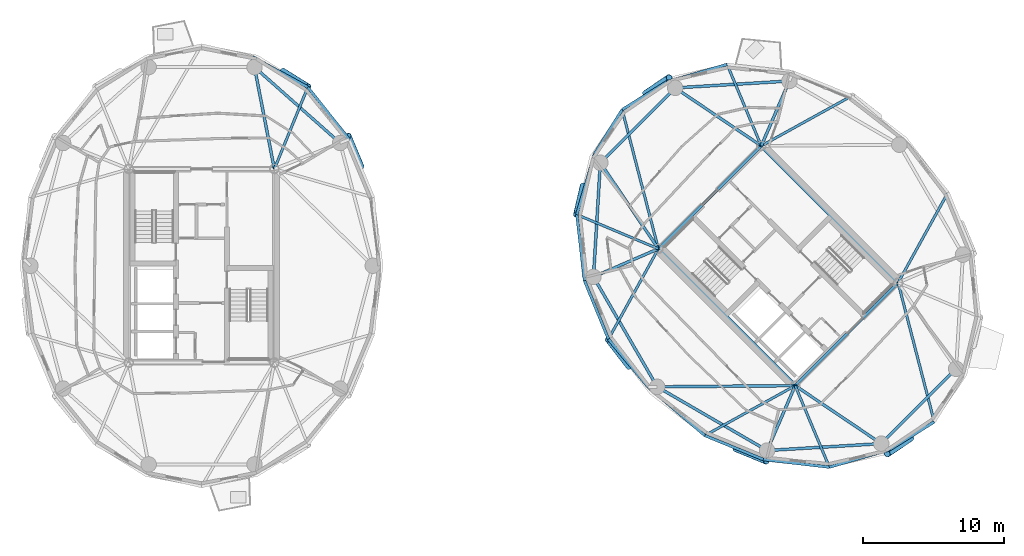
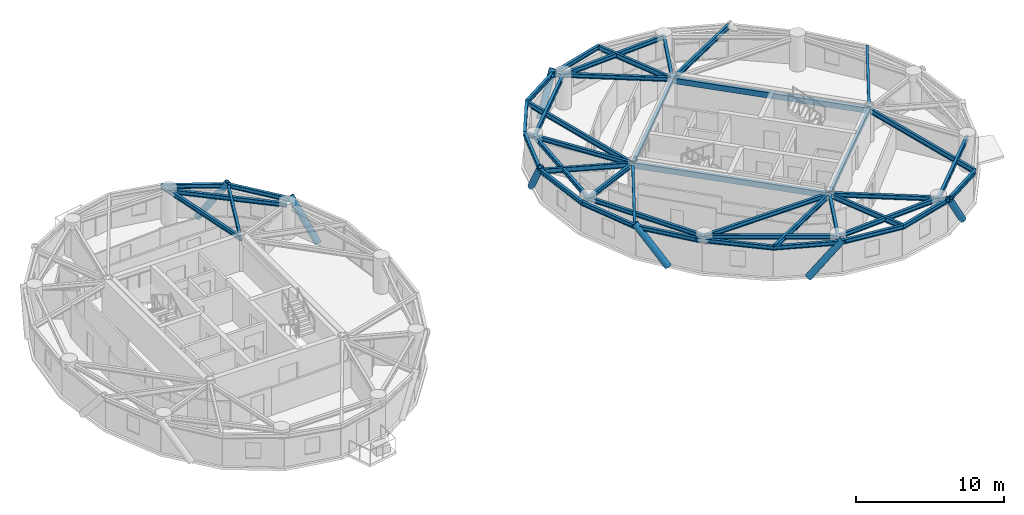
# One storey, part 4 of 16: 44 beams, 7 members.
"""IFC4 building model written with IfcOpenShell, lengths in metres."""

from ifc_helpers import new_model, si_unit, direction, frame, origin, origin_2d, place, context, subcontext, project, spatial, hollow_rectangle, hollow_circle, i_section, extrude, material, material_profile, profile_set, type_object, element, save


model = new_model("IFC4")

# Units and contexts
model_context = context("Model", 3, precision=1e-05, world=origin(), true_north=direction((0.0, 1.0)))
body_context = subcontext(model_context, "Body", "Model", "MODEL_VIEW")
ifc_project = project(units=[si_unit("LENGTHUNIT", "METRE"), si_unit("AREAUNIT", "SQUARE_METRE"), si_unit("VOLUMEUNIT", "CUBIC_METRE"), si_unit("PLANEANGLEUNIT", "RADIAN"), si_unit("MASSUNIT", "GRAM", prefix="KILO")], contexts=[model_context])

# Site, building, storey
site_placement = place(None, origin())
site = spatial("IfcSite", under=ifc_project, at=site_placement, CompositionType="ELEMENT")
building_placement = place(site_placement, origin())
building = spatial("IfcBuilding", under=site, at=building_placement, Name="Cununo Teusaquillo Station Towers", CompositionType="ELEMENT")
storey_placement = place(building_placement, frame((0.0, 0.0, 217.030029296875)))
storey = spatial("IfcBuildingStorey", under=building, at=storey_placement, Name="L69", CompositionType="ELEMENT", Elevation=217.030029296875)

# Beams
ifc_material_1 = material(Name="Steel EN 10025-2 S355J2", Category="steel")
ifc_material_profile_1 = material_profile(ifc_material_1, hollow_rectangle(XDim=0.25, YDim=0.449951171875, WallThickness=0.01611328125, at=origin_2d()), Name="RHS 450x250x16")
ifc_profile_set_1 = profile_set([ifc_material_profile_1], Name="Steel EN 10025-2 S355J2")
beam_type_1 = type_object("IfcBeamType", Name="BM-COUP-1", PredefinedType="USERDEFINED", material=ifc_profile_set_1)
for number, where, z_axis, x_axis, name in (
    (1, (58.70556640625, 15.975830078125, 2.474853515625), (-0.707106781187, 0.707106781187, 0.0), (-0.707106781187, -0.707106781187, 0.0), "L69 Tower B Core Beam 1"),
    (2, (66.024169921875, 23.29443359375, 2.474853515625), (-0.707106781187, 0.707106781187, 0.0), (-0.707106781187, -0.707106781187, 0.0), "L69 Tower B Core Beam 2"),
):
    element("IfcBeam", number, at=place(storey_placement, frame(where, z_axis=z_axis, x_axis=x_axis)), inside=storey, type_object=beam_type_1, Name=name, ObjectType="COUPLING BEAM", PredefinedType="USERDEFINED", context=body_context, shape_type="SweptSolid", body=[
        extrude(hollow_rectangle(XDim=0.25, YDim=0.449951171875, WallThickness=0.01611328125, at=origin_2d()), origin(), (0.0, 0.0, 1.0), 13.760009765625),
    ])
ifc_material_2 = material(Name="Steel ASTM A572 Grade 50", Category="steel")
ifc_material_profile_2 = material_profile(ifc_material_2, i_section(OverallWidth=0.180908203125, OverallDepth=0.4169921875, WebThickness=0.010986328125, FlangeThickness=0.018310546875, FilletRadius=0.012939453125, at=origin_2d()), Name="W16X57")
ifc_profile_set_2 = profile_set([ifc_material_profile_2], Name="Steel ASTM A572 Grade 50")
beam_type_2 = type_object("IfcBeamType", Name="BM-JOIST-1", PredefinedType="JOIST", material=ifc_profile_set_2)
beam_1_placement = place(storey_placement, frame((21.675048828125, 31.3798828125, 2.491455078125), z_axis=(0.378576847217, 0.925569862707, 0.0), x_axis=(-0.925569862707, 0.378576847217, 0.0)))
element("IfcBeam", 3, at=beam_1_placement, inside=storey, type_object=beam_type_2, Name="L69 Tower A Radial Spandrel Joist V03", PredefinedType="JOIST", context=body_context, shape_type="SweptSolid", body=[
    extrude(i_section(OverallWidth=0.180908203125, OverallDepth=0.4169921875, WebThickness=0.010986328125, FlangeThickness=0.018310546875, FilletRadius=0.012939453125, at=origin_2d()), origin(), (0.0, 0.0, 1.0), 6.28125),
])
beam_2_placement = place(storey_placement, frame((56.29443359375, 33.024169921875, 2.491455078125), z_axis=(0.8753153358, 0.483552544108, 0.0), x_axis=(-0.483552544108, 0.8753153358, 0.0)))
element("IfcBeam", 4, at=beam_2_placement, inside=storey, type_object=beam_type_2, Name="L69 Tower B Radial Spandrel Joist V01", PredefinedType="JOIST", context=body_context, shape_type="SweptSolid", body=[
    extrude(i_section(OverallWidth=0.180908203125, OverallDepth=0.4169921875, WebThickness=0.010986328125, FlangeThickness=0.018310546875, FilletRadius=0.012939453125, at=origin_2d()), origin(), (0.0, 0.0, 1.0), 7.3330078125),
])
beam_3_placement = place(storey_placement, frame((56.29443359375, 33.024169921875, 2.491455078125), z_axis=(-0.386786389381, 0.922169338565, 0.0), x_axis=(-0.922169338565, -0.386786389381, 0.0)))
element("IfcBeam", 5, at=beam_3_placement, inside=storey, type_object=beam_type_2, Name="L69 Tower B Radial Spandrel Joist V03", PredefinedType="JOIST", context=body_context, shape_type="SweptSolid", body=[
    extrude(i_section(OverallWidth=0.180908203125, OverallDepth=0.4169921875, WebThickness=0.010986328125, FlangeThickness=0.018310546875, FilletRadius=0.012939453125, at=origin_2d()), origin(), (0.0, 0.0, 1.0), 6.281005859375),
])
beam_4_placement = place(storey_placement, frame((48.975830078125, 25.70556640625, 2.491455078125), z_axis=(-0.251559992432, 0.967841707206, 0.0), x_axis=(-0.967841707206, -0.251559992432, 0.0)))
element("IfcBeam", 6, at=beam_4_placement, inside=storey, type_object=beam_type_2, Name="L69 Tower B Radial Spandrel Joist V05", PredefinedType="JOIST", context=body_context, shape_type="SweptSolid", body=[
    extrude(i_section(OverallWidth=0.180908203125, OverallDepth=0.4169921875, WebThickness=0.010986328125, FlangeThickness=0.018310546875, FilletRadius=0.012939453125, at=origin_2d()), origin(), (0.0, 0.0, 1.0), 10.217529296875),
])
beam_5_placement = place(storey_placement, frame((48.975830078125, 25.70556640625, 2.491455078125), z_axis=(-0.922169338565, 0.386786389381, 0.0), x_axis=(-0.386786389381, -0.922169338565, 0.0)))
element("IfcBeam", 7, at=beam_5_placement, inside=storey, type_object=beam_type_2, Name="L69 Tower B Radial Spandrel Joist V07", PredefinedType="JOIST", context=body_context, shape_type="SweptSolid", body=[
    extrude(i_section(OverallWidth=0.180908203125, OverallDepth=0.4169921875, WebThickness=0.010986328125, FlangeThickness=0.018310546875, FilletRadius=0.012939453125, at=origin_2d()), origin(), (0.0, 0.0, 1.0), 6.281005859375),
])
for number, where, z_axis, x_axis, name in (
    (8, (48.975830078125, 25.70556640625, 2.491455078125), (-0.483552544108, -0.8753153358, 0.0), (0.8753153358, -0.483552544108, 0.0), "L69 Tower B Radial Spandrel Joist V09"),
    (9, (58.70556640625, 15.975830078125, 2.491455078125), (-0.8753153358, -0.483552544108, 0.0), (0.483552544108, -0.8753153358, 0.0), "L69 Tower B Radial Spandrel Joist V11"),
):
    element("IfcBeam", number, at=place(storey_placement, frame(where, z_axis=z_axis, x_axis=x_axis)), inside=storey, type_object=beam_type_2, Name=name, PredefinedType="JOIST", context=body_context, shape_type="SweptSolid", body=[
        extrude(i_section(OverallWidth=0.180908203125, OverallDepth=0.4169921875, WebThickness=0.010986328125, FlangeThickness=0.018310546875, FilletRadius=0.012939453125, at=origin_2d()), origin(), (0.0, 0.0, 1.0), 7.3330078125),
    ])
beam_6_placement = place(storey_placement, frame((58.70556640625, 15.975830078125, 2.491455078125), z_axis=(0.386786389381, -0.922169338565, 0.0), x_axis=(0.922169338565, 0.386786389381, 0.0)))
element("IfcBeam", 10, at=beam_6_placement, inside=storey, type_object=beam_type_2, Name="L69 Tower B Radial Spandrel Joist V13", PredefinedType="JOIST", context=body_context, shape_type="SweptSolid", body=[
    extrude(i_section(OverallWidth=0.180908203125, OverallDepth=0.4169921875, WebThickness=0.010986328125, FlangeThickness=0.018310546875, FilletRadius=0.012939453125, at=origin_2d()), origin(), (0.0, 0.0, 1.0), 6.281005859375),
])
beam_7_placement = place(storey_placement, frame((66.024169921875, 23.29443359375, 2.491455078125), z_axis=(0.251559992432, -0.967841707206, 0.0), x_axis=(0.967841707206, 0.251559992432, 0.0)))
element("IfcBeam", 11, at=beam_7_placement, inside=storey, type_object=beam_type_2, Name="L69 Tower B Radial Spandrel Joist V15", PredefinedType="JOIST", context=body_context, shape_type="SweptSolid", body=[
    extrude(i_section(OverallWidth=0.180908203125, OverallDepth=0.4169921875, WebThickness=0.010986328125, FlangeThickness=0.018310546875, FilletRadius=0.012939453125, at=origin_2d()), origin(), (0.0, 0.0, 1.0), 10.217529296875),
])
beam_8_placement = place(storey_placement, frame((66.024169921875, 23.29443359375, 2.491455078125), z_axis=(0.483552544108, 0.8753153358, 0.0), x_axis=(-0.8753153358, 0.483552544108, 0.0)))
element("IfcBeam", 12, at=beam_8_placement, inside=storey, type_object=beam_type_2, Name="L69 Tower B Radial Spandrel Joist V19", PredefinedType="JOIST", context=body_context, shape_type="SweptSolid", body=[
    extrude(i_section(OverallWidth=0.180908203125, OverallDepth=0.4169921875, WebThickness=0.010986328125, FlangeThickness=0.018310546875, FilletRadius=0.012939453125, at=origin_2d()), origin(), (0.0, 0.0, 1.0), 7.3330078125),
])
ifc_material_3 = material(Name="Steel ASTM A572 Grade 50", Category="steel")
ifc_material_profile_3 = material_profile(ifc_material_3, i_section(OverallWidth=0.2041015625, OverallDepth=0.35009765625, WebThickness=0.008544921875, FlangeThickness=0.01513671875, FilletRadius=0.011962890625, at=origin_2d()), Name="W14X48")
ifc_profile_set_3 = profile_set([ifc_material_profile_3], Name="Steel ASTM A572 Grade 50")
beam_type_3 = type_object("IfcBeamType", Name="BM-LINTEL-1", PredefinedType="LINTEL", material=ifc_profile_set_3)
for number, where, z_axis, x_axis, name in (
    (13, (58.70556640625, 15.975830078125, 2.52490234375), (0.707106781187, 0.707106781187, 0.0), (-0.707106781187, 0.707106781187, 0.0), "L69 Tower B Core Beam 3"),
    (14, (48.975830078125, 25.70556640625, 2.52490234375), (0.707106781187, 0.707106781187, 0.0), (-0.707106781187, 0.707106781187, 0.0), "L69 Tower B Core Beam 4"),
):
    element("IfcBeam", number, at=place(storey_placement, frame(where, z_axis=z_axis, x_axis=x_axis)), inside=storey, type_object=beam_type_3, Name=name, PredefinedType="LINTEL", context=body_context, shape_type="SweptSolid", body=[
        extrude(i_section(OverallWidth=0.2041015625, OverallDepth=0.35009765625, WebThickness=0.008544921875, FlangeThickness=0.01513671875, FilletRadius=0.011962890625, at=origin_2d()), origin(), (0.0, 0.0, 1.0), 10.35009765625),
    ])
ifc_material_4 = material(Name="Steel ASTM A572 Grade 50", Category="steel")
ifc_material_profile_4 = material_profile(ifc_material_4, i_section(OverallWidth=0.2041015625, OverallDepth=0.35009765625, WebThickness=0.008544921875, FlangeThickness=0.01513671875, FilletRadius=0.011962890625, at=origin_2d()), Name="W14X48")
ifc_profile_set_4 = profile_set([ifc_material_profile_4], Name="Steel ASTM A572 Grade 50")
beam_type_4 = type_object("IfcBeamType", Name="BM-RAD-G3", PredefinedType="BEAM", material=ifc_profile_set_4)
beam_9_placement = place(storey_placement, frame((21.675048828125, 31.3798828125, 2.52490234375), z_axis=(-0.191548487699, 0.981483151593, 0.0), x_axis=(-0.981483151593, -0.191548487699, 0.0)))
element("IfcBeam", 15, at=beam_9_placement, inside=storey, type_object=beam_type_4, Name="L69 Tower A Continuous Overhanging Radial Girder 03", PredefinedType="BEAM", context=body_context, shape_type="SweptSolid", body=[
    extrude(i_section(OverallWidth=0.2041015625, OverallDepth=0.35009765625, WebThickness=0.008544921875, FlangeThickness=0.01513671875, FilletRadius=0.011962890625, at=origin_2d()), origin(), (0.0, 0.0, 1.0), 8.1240234375),
])
beam_10_placement = place(storey_placement, frame((56.29443359375, 33.024169921875, 2.52490234375), z_axis=(0.397346986387, 0.917668443616, 0.0), x_axis=(-0.917668443616, 0.397346986387, 0.0)))
element("IfcBeam", 16, at=beam_10_placement, inside=storey, type_object=beam_type_4, Name="L69 Tower B Radial Girder 02A", PredefinedType="BEAM", context=body_context, shape_type="SweptSolid", body=[
    extrude(i_section(OverallWidth=0.2041015625, OverallDepth=0.35009765625, WebThickness=0.008544921875, FlangeThickness=0.01513671875, FilletRadius=0.011962890625, at=origin_2d()), origin(), (0.0, 0.0, 1.0), 5.02490234375),
])
for number, where, z_axis, x_axis, name in (
    (17, (56.29443359375, 33.024169921875, 2.52490234375), (-0.829456817529, 0.558570844079, 0.0), (-0.558570844079, -0.829456817529, 0.0), "L69 Tower B Continuous Overhanging Radial Girder 03"),
    (18, (48.975830078125, 25.70556640625, 2.52490234375), (-0.558570844079, 0.829456817529, 0.0), (-0.829456817529, -0.558570844079, 0.0), "L69 Tower B Continuous Overhanging Radial Girder 04"),
):
    element("IfcBeam", number, at=place(storey_placement, frame(where, z_axis=z_axis, x_axis=x_axis)), inside=storey, type_object=beam_type_4, Name=name, PredefinedType="BEAM", context=body_context, shape_type="SweptSolid", body=[
        extrude(i_section(OverallWidth=0.2041015625, OverallDepth=0.35009765625, WebThickness=0.008544921875, FlangeThickness=0.01513671875, FilletRadius=0.011962890625, at=origin_2d()), origin(), (0.0, 0.0, 1.0), 8.1240234375),
    ])
beam_11_placement = place(storey_placement, frame((48.975830078125, 25.70556640625, 2.52490234375), z_axis=(-0.917665176837, -0.397354530893, 0.0), x_axis=(0.397354530893, -0.917665176837, 0.0)))
element("IfcBeam", 19, at=beam_11_placement, inside=storey, type_object=beam_type_4, Name="L69 Tower B Continuous Overhanging Radial Girder 05", PredefinedType="BEAM", context=body_context, shape_type="SweptSolid", body=[
    extrude(i_section(OverallWidth=0.2041015625, OverallDepth=0.35009765625, WebThickness=0.008544921875, FlangeThickness=0.01513671875, FilletRadius=0.011962890625, at=origin_2d()), origin(), (0.0, 0.0, 1.0), 5.716552734375),
])
beam_12_placement = place(storey_placement, frame((58.70556640625, 15.975830078125, 2.52490234375), z_axis=(-0.999964431382, -0.008434214327, 0.0), x_axis=(0.008434214327, -0.999964431382, 0.0)))
element("IfcBeam", 20, at=beam_12_placement, inside=storey, type_object=beam_type_4, Name="L69 Tower B Radial Girder 06A", PredefinedType="BEAM", context=body_context, shape_type="SweptSolid", body=[
    extrude(i_section(OverallWidth=0.2041015625, OverallDepth=0.35009765625, WebThickness=0.008544921875, FlangeThickness=0.01513671875, FilletRadius=0.011962890625, at=origin_2d()), origin(), (0.0, 0.0, 1.0), 9.812744140625),
])
beam_13_placement = place(storey_placement, frame((58.70556640625, 15.975830078125, 2.52490234375), z_axis=(-0.397354530893, -0.917665176837, 0.0), x_axis=(0.917665176837, -0.397354530893, 0.0)))
element("IfcBeam", 21, at=beam_13_placement, inside=storey, type_object=beam_type_4, Name="L69 Tower B Continuous Overhanging Radial Girder 07", PredefinedType="BEAM", context=body_context, shape_type="SweptSolid", body=[
    extrude(i_section(OverallWidth=0.2041015625, OverallDepth=0.35009765625, WebThickness=0.008544921875, FlangeThickness=0.01513671875, FilletRadius=0.011962890625, at=origin_2d()), origin(), (0.0, 0.0, 1.0), 5.716552734375),
])
beam_14_placement = place(storey_placement, frame((58.70556640625, 15.975830078125, 2.52490234375), z_axis=(0.829456817529, -0.558570844079, 0.0), x_axis=(0.558570844079, 0.829456817529, 0.0)))
element("IfcBeam", 22, at=beam_14_placement, inside=storey, type_object=beam_type_4, Name="L69 Tower B Continuous Overhanging Radial Girder 08", PredefinedType="BEAM", context=body_context, shape_type="SweptSolid", body=[
    extrude(i_section(OverallWidth=0.2041015625, OverallDepth=0.35009765625, WebThickness=0.008544921875, FlangeThickness=0.01513671875, FilletRadius=0.011962890625, at=origin_2d()), origin(), (0.0, 0.0, 1.0), 8.1240234375),
])
ifc_material_5 = material(Name="Steel ASTM A572 Grade 50", Category="steel")
ifc_material_profile_5 = material_profile(ifc_material_5, i_section(OverallWidth=0.2041015625, OverallDepth=0.35009765625, WebThickness=0.008544921875, FlangeThickness=0.01513671875, FilletRadius=0.011962890625, at=origin_2d()), Name="W14X48")
ifc_profile_set_5 = profile_set([ifc_material_profile_5], Name="Steel ASTM A572 Grade 50")
beam_type_5 = type_object("IfcBeamType", Name="BM-RING-Z4", PredefinedType="SPANDREL", material=ifc_profile_set_5)
beam_15_placement = place(storey_placement, frame((26.347412109375, 33.228515625, 2.52490234375), z_axis=(-0.74832120039, 0.66333655187, 0.0), x_axis=(-0.66333655187, -0.74832120039, 0.0)))
element("IfcBeam", 23, at=beam_15_placement, inside=storey, type_object=beam_type_5, Name="L69 Tower A Structural Column Ring Girder 02", PredefinedType="SPANDREL", context=body_context, shape_type="SweptSolid", body=[
    extrude(i_section(OverallWidth=0.2041015625, OverallDepth=0.35009765625, WebThickness=0.008544921875, FlangeThickness=0.01513671875, FilletRadius=0.011962890625, at=origin_2d()), origin(), (0.0, 0.0, 1.0), 8.1328125),
])
beam_16_placement = place(storey_placement, frame((26.990478515625, 33.483154296875, 2.52490234375), z_axis=(-0.620710872531, 0.784039547932, 0.0), x_axis=(-0.784039547932, -0.620710872531, 0.0)))
element("IfcBeam", 24, at=beam_16_placement, inside=storey, type_object=beam_type_5, Name="L69 Tower A Spandrel Ring Beam 03", PredefinedType="SPANDREL", context=body_context, shape_type="SweptSolid", body=[
    extrude(i_section(OverallWidth=0.2041015625, OverallDepth=0.35009765625, WebThickness=0.008544921875, FlangeThickness=0.01513671875, FilletRadius=0.011962890625, at=origin_2d()), origin(), (0.0, 0.0, 1.0), 4.732421875),
])
beam_17_placement = place(storey_placement, frame((24.052978515625, 37.193603515625, 2.52490234375), z_axis=(-0.876576300909, 0.481262910149, 0.0), x_axis=(-0.481262910149, -0.876576300909, 0.0)))
element("IfcBeam", 25, at=beam_17_placement, inside=storey, type_object=beam_type_5, Name="L69 Tower A Spandrel Ring Beam 04", PredefinedType="SPANDREL", context=body_context, shape_type="SweptSolid", body=[
    extrude(i_section(OverallWidth=0.2041015625, OverallDepth=0.35009765625, WebThickness=0.008544921875, FlangeThickness=0.01513671875, FilletRadius=0.011962890625, at=origin_2d()), origin(), (0.0, 0.0, 1.0), 4.488037109375),
])
beam_18_placement = place(storey_placement, frame((58.291015625, 37.63525390625, 2.52490234375), z_axis=(-0.998190567048, -0.06012979176, 0.0), x_axis=(0.06012979176, -0.998190567048, 0.0)))
element("IfcBeam", 26, at=beam_18_placement, inside=storey, type_object=beam_type_5, Name="L69 Tower B Structural Column Ring Girder 02", PredefinedType="SPANDREL", context=body_context, shape_type="SweptSolid", body=[
    extrude(i_section(OverallWidth=0.2041015625, OverallDepth=0.35009765625, WebThickness=0.008544921875, FlangeThickness=0.01513671875, FilletRadius=0.011962890625, at=origin_2d()), origin(), (0.0, 0.0, 1.0), 8.132568359375),
])
beam_19_placement = place(storey_placement, frame((50.173095703125, 37.146240234375, 2.52490234375), z_axis=(-0.707106781187, -0.707106781187, 0.0), x_axis=(0.707106781187, -0.707106781187, 0.0)))
element("IfcBeam", 27, at=beam_19_placement, inside=storey, type_object=beam_type_5, Name="L69 Tower B Structural Column Ring Girder 03", PredefinedType="SPANDREL", context=body_context, shape_type="SweptSolid", body=[
    extrude(i_section(OverallWidth=0.2041015625, OverallDepth=0.35009765625, WebThickness=0.008544921875, FlangeThickness=0.01513671875, FilletRadius=0.011962890625, at=origin_2d()), origin(), (0.0, 0.0, 1.0), 7.522705078125),
])
beam_20_placement = place(storey_placement, frame((44.853759765625, 31.826904296875, 2.52490234375), z_axis=(-0.06012979176, -0.998190567048, 0.0), x_axis=(0.998190567048, -0.06012979176, 0.0)))
element("IfcBeam", 28, at=beam_20_placement, inside=storey, type_object=beam_type_5, Name="L69 Tower B Structural Column Ring Girder 04", PredefinedType="SPANDREL", context=body_context, shape_type="SweptSolid", body=[
    extrude(i_section(OverallWidth=0.2041015625, OverallDepth=0.35009765625, WebThickness=0.008544921875, FlangeThickness=0.01513671875, FilletRadius=0.011962890625, at=origin_2d()), origin(), (0.0, 0.0, 1.0), 8.132568359375),
])
for number, where, z_axis, x_axis, name in (
    (29, (44.36474609375, 23.708984375, 2.52490234375), (0.501311121078, -0.865267103202, 0.0), (0.865267103202, 0.501311121078, 0.0), "L69 Tower B Structural Column Ring Girder 05"),
    (30, (48.89306640625, 15.89306640625, 2.52490234375), (0.865267103202, -0.501311121078, 0.0), (0.501311121078, 0.865267103202, 0.0), "L69 Tower B Structural Column Ring Girder 06"),
):
    element("IfcBeam", number, at=place(storey_placement, frame(where, z_axis=z_axis, x_axis=x_axis)), inside=storey, type_object=beam_type_5, Name=name, PredefinedType="SPANDREL", context=body_context, shape_type="SweptSolid", body=[
        extrude(i_section(OverallWidth=0.2041015625, OverallDepth=0.35009765625, WebThickness=0.008544921875, FlangeThickness=0.01513671875, FilletRadius=0.011962890625, at=origin_2d()), origin(), (0.0, 0.0, 1.0), 9.032958984375),
    ])
beam_21_placement = place(storey_placement, frame((56.708984375, 11.36474609375, 2.52490234375), z_axis=(0.998190567048, 0.06012979176, 0.0), x_axis=(-0.06012979176, 0.998190567048, 0.0)))
element("IfcBeam", 31, at=beam_21_placement, inside=storey, type_object=beam_type_5, Name="L69 Tower B Structural Column Ring Girder 07", PredefinedType="SPANDREL", context=body_context, shape_type="SweptSolid", body=[
    extrude(i_section(OverallWidth=0.2041015625, OverallDepth=0.35009765625, WebThickness=0.008544921875, FlangeThickness=0.01513671875, FilletRadius=0.011962890625, at=origin_2d()), origin(), (0.0, 0.0, 1.0), 8.132568359375),
])
beam_22_placement = place(storey_placement, frame((64.826904296875, 11.853759765625, 2.52490234375), z_axis=(0.707106781187, 0.707106781187, 0.0), x_axis=(-0.707106781187, 0.707106781187, 0.0)))
element("IfcBeam", 32, at=beam_22_placement, inside=storey, type_object=beam_type_5, Name="L69 Tower B Structural Column Ring Girder 08", PredefinedType="SPANDREL", context=body_context, shape_type="SweptSolid", body=[
    extrude(i_section(OverallWidth=0.2041015625, OverallDepth=0.35009765625, WebThickness=0.008544921875, FlangeThickness=0.01513671875, FilletRadius=0.011962890625, at=origin_2d()), origin(), (0.0, 0.0, 1.0), 7.522705078125),
])
beam_23_placement = place(storey_placement, frame((53.864990234375, 38.81640625, 2.52490234375), z_axis=(-0.96014487762, -0.279502797802, 0.0), x_axis=(0.279502797802, -0.96014487762, 0.0)))
element("IfcBeam", 33, at=beam_23_placement, inside=storey, type_object=beam_type_5, Name="L69 Tower B Spandrel Ring Beam 04", PredefinedType="SPANDREL", context=body_context, shape_type="SweptSolid", body=[
    extrude(i_section(OverallWidth=0.2041015625, OverallDepth=0.35009765625, WebThickness=0.008544921875, FlangeThickness=0.01513671875, FilletRadius=0.011962890625, at=origin_2d()), origin(), (0.0, 0.0, 1.0), 4.488037109375),
])
for number, where, z_axis, x_axis, name in (
    (34, (49.555908203125, 37.56201171875, 2.52490234375), (-0.848175505099, -0.529715312739, 0.0), (0.529715312739, -0.848175505099, 0.0), "L69 Tower B Spandrel Ring Beam 05"),
    (35, (46.405517578125, 35.594482421875, 2.52490234375), (-0.529715312739, -0.848175505099, 0.0), (0.848175505099, -0.529715312739, 0.0), "L69 Tower B Spandrel Ring Beam 06"),
):
    element("IfcBeam", number, at=place(storey_placement, frame(where, z_axis=z_axis, x_axis=x_axis)), inside=storey, type_object=beam_type_5, Name=name, PredefinedType="SPANDREL", context=body_context, shape_type="SweptSolid", body=[
        extrude(i_section(OverallWidth=0.2041015625, OverallDepth=0.35009765625, WebThickness=0.008544921875, FlangeThickness=0.01513671875, FilletRadius=0.011962890625, at=origin_2d()), origin(), (0.0, 0.0, 1.0), 3.71435546875),
    ])
beam_24_placement = place(storey_placement, frame((44.43798828125, 32.444091796875, 2.52490234375), z_axis=(-0.279502797802, -0.96014487762, 0.0), x_axis=(0.96014487762, -0.279502797802, 0.0)))
element("IfcBeam", 36, at=beam_24_placement, inside=storey, type_object=beam_type_5, Name="L69 Tower B Spandrel Ring Beam 07", PredefinedType="SPANDREL", context=body_context, shape_type="SweptSolid", body=[
    extrude(i_section(OverallWidth=0.2041015625, OverallDepth=0.35009765625, WebThickness=0.008544921875, FlangeThickness=0.01513671875, FilletRadius=0.011962890625, at=origin_2d()), origin(), (0.0, 0.0, 1.0), 4.488037109375),
])
beam_25_placement = place(storey_placement, frame((43.18359375, 28.135009765625, 2.52490234375), z_axis=(0.115452326356, -0.993313022334, 0.0), x_axis=(0.993313022334, 0.115452326356, 0.0)))
element("IfcBeam", 37, at=beam_25_placement, inside=storey, type_object=beam_type_5, Name="L69 Tower B Spandrel Ring Beam 08", PredefinedType="SPANDREL", context=body_context, shape_type="SweptSolid", body=[
    extrude(i_section(OverallWidth=0.2041015625, OverallDepth=0.35009765625, WebThickness=0.008544921875, FlangeThickness=0.01513671875, FilletRadius=0.011962890625, at=origin_2d()), origin(), (0.0, 0.0, 1.0), 4.732666015625),
])
beam_26_placement = place(storey_placement, frame((43.72998046875, 23.43408203125, 2.52490234375), z_axis=(0.379275405388, -0.925283830437, 0.0), x_axis=(0.925283830437, 0.379275405388, 0.0)))
element("IfcBeam", 38, at=beam_26_placement, inside=storey, type_object=beam_type_5, Name="L69 Tower B Spandrel Ring Beam 09", PredefinedType="SPANDREL", context=body_context, shape_type="SweptSolid", body=[
    extrude(i_section(OverallWidth=0.2041015625, OverallDepth=0.35009765625, WebThickness=0.008544921875, FlangeThickness=0.01513671875, FilletRadius=0.011962890625, at=origin_2d()), origin(), (0.0, 0.0, 1.0), 4.482177734375),
])
beam_27_placement = place(storey_placement, frame((45.429931640625, 19.286865234375, 2.52490234375), z_axis=(0.637524682095, -0.770429931739, 0.0), x_axis=(0.770429931739, 0.637524682095, 0.0)))
element("IfcBeam", 39, at=beam_27_placement, inside=storey, type_object=beam_type_5, Name="L69 Tower B Spandrel Ring Beam 10", PredefinedType="SPANDREL", context=body_context, shape_type="SweptSolid", body=[
    extrude(i_section(OverallWidth=0.2041015625, OverallDepth=0.35009765625, WebThickness=0.008544921875, FlangeThickness=0.01513671875, FilletRadius=0.011962890625, at=origin_2d()), origin(), (0.0, 0.0, 1.0), 4.412353515625),
])
beam_28_placement = place(storey_placement, frame((48.242919921875, 15.887451171875, 2.52490234375), z_axis=(0.760065778291, -0.649846145385, 0.0), x_axis=(0.649846145385, 0.760065778291, 0.0)))
element("IfcBeam", 40, at=beam_28_placement, inside=storey, type_object=beam_type_5, Name="L69 Tower B Spandrel Ring Beam 11", PredefinedType="SPANDREL", context=body_context, shape_type="SweptSolid", body=[
    extrude(i_section(OverallWidth=0.2041015625, OverallDepth=0.35009765625, WebThickness=0.008544921875, FlangeThickness=0.01513671875, FilletRadius=0.011962890625, at=origin_2d()), origin(), (0.0, 0.0, 1.0), 5.320556640625),
])
beam_29_placement = place(storey_placement, frame((52.286865234375, 12.429931640625, 2.52490234375), z_axis=(0.925283830437, -0.379275405388, 0.0), x_axis=(0.379275405388, 0.925283830437, 0.0)))
element("IfcBeam", 41, at=beam_29_placement, inside=storey, type_object=beam_type_5, Name="L69 Tower B Spandrel Ring Beam 12", PredefinedType="SPANDREL", context=body_context, shape_type="SweptSolid", body=[
    extrude(i_section(OverallWidth=0.2041015625, OverallDepth=0.35009765625, WebThickness=0.008544921875, FlangeThickness=0.01513671875, FilletRadius=0.011962890625, at=origin_2d()), origin(), (0.0, 0.0, 1.0), 4.482177734375),
])
beam_30_placement = place(storey_placement, frame((56.43408203125, 10.72998046875, 2.52490234375), z_axis=(0.993313022334, -0.115452326356, 0.0), x_axis=(0.115452326356, 0.993313022334, 0.0)))
element("IfcBeam", 42, at=beam_30_placement, inside=storey, type_object=beam_type_5, Name="L69 Tower B Spandrel Ring Beam 13", PredefinedType="SPANDREL", context=body_context, shape_type="SweptSolid", body=[
    extrude(i_section(OverallWidth=0.2041015625, OverallDepth=0.35009765625, WebThickness=0.008544921875, FlangeThickness=0.01513671875, FilletRadius=0.011962890625, at=origin_2d()), origin(), (0.0, 0.0, 1.0), 4.732666015625),
])
beam_31_placement = place(storey_placement, frame((61.135009765625, 10.18359375, 2.52490234375), z_axis=(0.96014487762, 0.279502797802, 0.0), x_axis=(-0.279502797802, 0.96014487762, 0.0)))
element("IfcBeam", 43, at=beam_31_placement, inside=storey, type_object=beam_type_5, Name="L69 Tower B Spandrel Ring Beam 14", PredefinedType="SPANDREL", context=body_context, shape_type="SweptSolid", body=[
    extrude(i_section(OverallWidth=0.2041015625, OverallDepth=0.35009765625, WebThickness=0.008544921875, FlangeThickness=0.01513671875, FilletRadius=0.011962890625, at=origin_2d()), origin(), (0.0, 0.0, 1.0), 4.488037109375),
])
beam_32_placement = place(storey_placement, frame((65.444091796875, 11.43798828125, 2.52490234375), z_axis=(0.848175505099, 0.529715312739, 0.0), x_axis=(-0.529715312739, 0.848175505099, 0.0)))
element("IfcBeam", 44, at=beam_32_placement, inside=storey, type_object=beam_type_5, Name="L69 Tower B Spandrel Ring Beam 15", PredefinedType="SPANDREL", context=body_context, shape_type="SweptSolid", body=[
    extrude(i_section(OverallWidth=0.2041015625, OverallDepth=0.35009765625, WebThickness=0.008544921875, FlangeThickness=0.01513671875, FilletRadius=0.011962890625, at=origin_2d()), origin(), (0.0, 0.0, 1.0), 3.71435546875),
])

# Members
ifc_material_6 = material(Name="Steel EN 10025-2 S355J2", Category="steel")
ifc_material_profile_6 = material_profile(ifc_material_6, hollow_circle(Radius=0.25390625, WallThickness=0.01806640625, at=origin_2d()), Name="CHS 508x18")
ifc_profile_set_6 = profile_set([ifc_material_profile_6], Name="Steel EN 10025-2 S355J2")
member_type = type_object("IfcMemberType", Name="MBR-DIAG-Z4", PredefinedType="BRACE", material=ifc_profile_set_6)
member_1_placement = place(storey_placement, frame((27.80859375, 31.535400390625, -0.14013671875), z_axis=(-0.243166093577, 0.582739932119, 0.775425317131), x_axis=(-0.922875628603, -0.385098135713, 0.0)))
element("IfcMember", 45, at=member_1_placement, inside=storey, type_object=member_type, Name="L69 Tower A Folded-Zigzag Diagrid Tube C01", PredefinedType="BRACE", context=body_context, shape_type="SweptSolid", body=[
    extrude(hollow_circle(Radius=0.25390625, WallThickness=0.01806640625, at=origin_2d()), origin(), (0.0, 0.0, 1.0), 3.7529296875),
])
member_2_placement = place(storey_placement, frame((22.261962890625, 38.307861328125, -0.14013671875), z_axis=(0.49830633528, -0.310015010117, 0.809679868666), x_axis=(0.528249968439, 0.849088906325, 0.0)))
element("IfcMember", 46, at=member_2_placement, inside=storey, type_object=member_type, Name="L69 Tower A Folded-Zigzag Diagrid Tube C03", PredefinedType="BRACE", context=body_context, shape_type="SweptSolid", body=[
    extrude(hollow_circle(Radius=0.25390625, WallThickness=0.01806640625, at=origin_2d()), origin(), (0.0, 0.0, 1.0), 3.59423828125),
])
member_3_placement = place(storey_placement, frame((48.080810546875, 36.72705078125, -0.14013671875), z_axis=(0.472806646223, 0.319521670579, 0.821194116709), x_axis=(-0.559926853965, 0.828542043718, 0.0)))
element("IfcMember", 47, at=member_3_placement, inside=storey, type_object=member_type, Name="L69 Tower B Folded-Zigzag Diagrid Tube C04", PredefinedType="BRACE", context=body_context, shape_type="SweptSolid", body=[
    extrude(hollow_circle(Radius=0.25390625, WallThickness=0.01806640625, at=origin_2d()), origin(), (0.0, 0.0, 1.0), 3.543701171875),
])
member_4_placement = place(storey_placement, frame((43.662109375, 30.189208984375, -0.14013671875), z_axis=(-0.133138350703, -0.571543919802, 0.809698541008), x_axis=(0.97392481585, -0.226871005356, 0.0)))
element("IfcMember", 48, at=member_4_placement, inside=storey, type_object=member_type, Name="L69 Tower B Folded-Zigzag Diagrid Tube C06", PredefinedType="BRACE", context=body_context, shape_type="SweptSolid", body=[
    extrude(hollow_circle(Radius=0.25390625, WallThickness=0.01806640625, at=origin_2d()), origin(), (0.0, 0.0, 1.0), 3.59423828125),
])
member_5_placement = place(storey_placement, frame((46.921875, 17.35009765625, -0.14013671875), z_axis=(-0.392535496674, 0.509570298661, 0.7656722501), x_axis=(-0.792204307351, -0.610255958934, 0.0)))
element("IfcMember", 49, at=member_5_placement, inside=storey, type_object=member_type, Name="L69 Tower B Folded-Zigzag Diagrid Tube C09", PredefinedType="BRACE", context=body_context, shape_type="SweptSolid", body=[
    extrude(hollow_circle(Radius=0.25390625, WallThickness=0.01806640625, at=origin_2d()), origin(), (0.0, 0.0, 1.0), 3.80078125),
])
member_6_placement = place(storey_placement, frame((54.478515625, 11.52880859375, -0.14013671875), z_axis=(0.583986306041, -0.240112894686, 0.775439096359), x_axis=(0.380273025704, 0.924874275738, 0.0)))
element("IfcMember", 50, at=member_6_placement, inside=storey, type_object=member_type, Name="L69 Tower B Folded-Zigzag Diagrid Tube C11", PredefinedType="BRACE", context=body_context, shape_type="SweptSolid", body=[
    extrude(hollow_circle(Radius=0.25390625, WallThickness=0.01806640625, at=origin_2d()), origin(), (0.0, 0.0, 1.0), 3.7529296875),
])
member_7_placement = place(storey_placement, frame((66.919189453125, 12.27294921875, -0.14013671875), z_axis=(-0.472806646223, -0.319521670579, 0.821194116709), x_axis=(0.559926853965, -0.828542043718, 0.0)))
element("IfcMember", 51, at=member_7_placement, inside=storey, type_object=member_type, Name="L69 Tower B Folded-Zigzag Diagrid Tube C14", PredefinedType="BRACE", context=body_context, shape_type="SweptSolid", body=[
    extrude(hollow_circle(Radius=0.25390625, WallThickness=0.01806640625, at=origin_2d()), origin(), (0.0, 0.0, 1.0), 3.543701171875),
])

save(model, "model.ifc")
